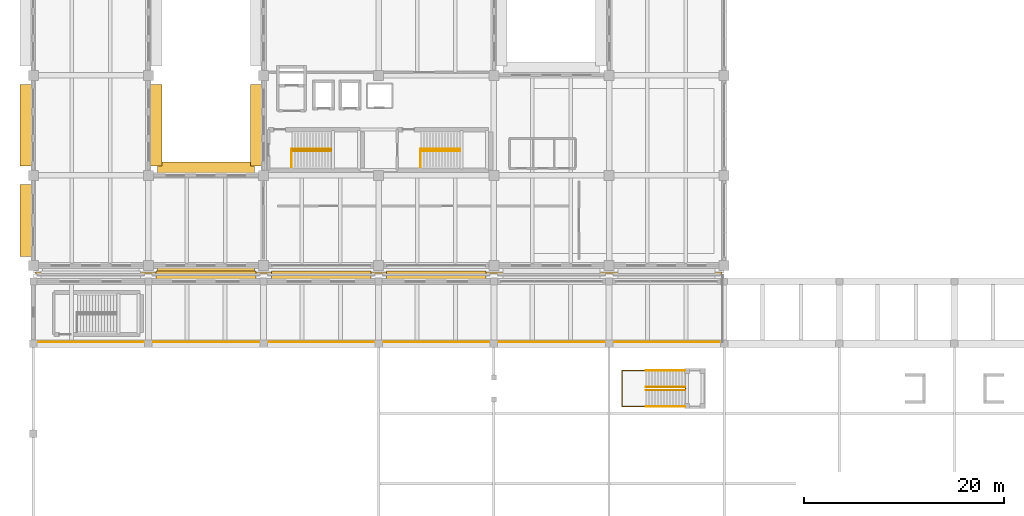
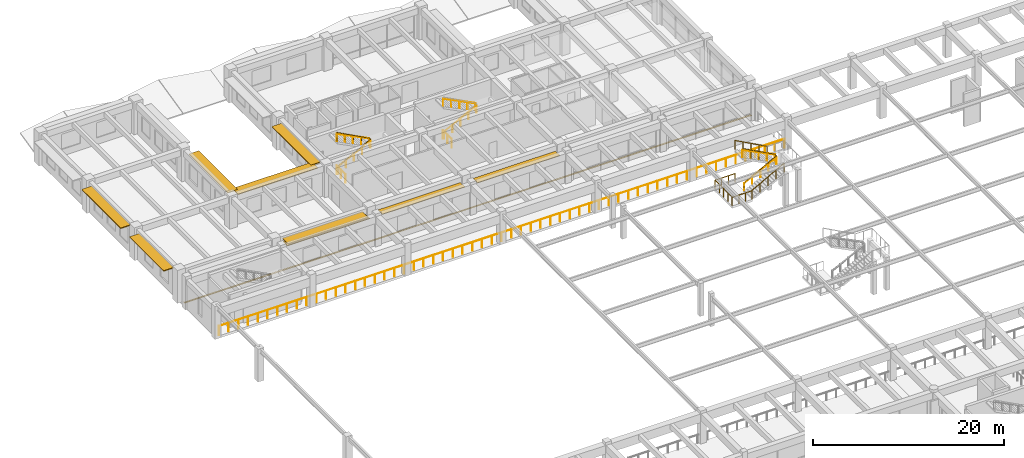
# One storey, part 93 of 98: 14 railings, 9 shading devices, 1 covering.
"""IFC4 building model written with IfcOpenShell, lengths in metres."""

from ifc_helpers import new_model, si_unit, direction, frame, origin, origin_2d, place, context, subcontext, project, spatial, polyline, rectangle, circle, outline, extrude, material, layer, layer_set, type_object, element, save


model = new_model("IFC4")

# Units and contexts
model_context = context("Model", 3, precision=1e-05, world=origin(), true_north=direction((0.0, 1.0)))
body_context = subcontext(model_context, "Body", "Model", "MODEL_VIEW")
ifc_project = project(units=[si_unit("LENGTHUNIT", "METRE"), si_unit("AREAUNIT", "SQUARE_METRE"), si_unit("VOLUMEUNIT", "CUBIC_METRE"), si_unit("PLANEANGLEUNIT", "RADIAN"), si_unit("MASSUNIT", "GRAM", prefix="KILO")], contexts=[model_context])

# Site, building, storey
site_placement = place(None, origin())
site = spatial("IfcSite", under=ifc_project, at=site_placement, CompositionType="ELEMENT")
building_placement = place(site_placement, origin())
building = spatial("IfcBuilding", under=site, at=building_placement, Name="Ologun Quay Terminus", CompositionType="ELEMENT")
storey_placement = place(building_placement, frame((0.0, 0.0, 4.199951171875)))
storey = spatial("IfcBuildingStorey", under=building, at=storey_placement, Name="L01", CompositionType="ELEMENT", Elevation=4.199951171875)

# Railing
ifc_material_1 = material(Name="Glass", Category="glass")
railing_type_1 = type_object("IfcRailingType", Name="Concourse & Atrium Glazed Balustrade 1150", PredefinedType="BALUSTRADE", material=ifc_material_1)
railing_1_placement = place(storey_placement, frame((0.39990234375, 78.14990234375, 0.0)))
element("IfcRailing", 1, at=railing_1_placement, inside=storey, type_object=railing_type_1, Name="BL-GL North Mezzanine Overlook Balustrade W L01", PredefinedType="BALUSTRADE", context=body_context, shape_type="SweptSolid", body=[
    extrude(circle(Radius=0.02392578125, at=origin_2d()), frame((0.0, 0.0, 1.1259765625), z_axis=(1.0, 0.0, 0.0), x_axis=(0.0, 1.0, 0.0)), (0.0, 0.0, 1.0), 68.4501953125),
    extrude(circle(Radius=0.02099609375, at=origin_2d()), origin(), (0.0, 0.0, 1.0), 1.101806640625),
    extrude(circle(Radius=0.02099609375, at=origin_2d()), frame((1.18017578125, 0.0, 0.0)), (0.0, 0.0, 1.0), 1.101806640625),
    extrude(circle(Radius=0.02099609375, at=origin_2d()), frame((2.3603515625, 0.0, 0.0)), (0.0, 0.0, 1.0), 1.101806640625),
    extrude(circle(Radius=0.02099609375, at=origin_2d()), frame((3.54052734375, 0.0, 0.0)), (0.0, 0.0, 1.0), 1.101806640625),
    extrude(circle(Radius=0.02099609375, at=origin_2d()), frame((4.720703125, 0.0, 0.0)), (0.0, 0.0, 1.0), 1.101806640625),
    extrude(circle(Radius=0.02099609375, at=origin_2d()), frame((5.90087890625, 0.0, 0.0)), (0.0, 0.0, 1.0), 1.101806640625),
    extrude(circle(Radius=0.02099609375, at=origin_2d()), frame((7.0810546875, 0.0, 0.0)), (0.0, 0.0, 1.0), 1.101806640625),
    extrude(circle(Radius=0.02099609375, at=origin_2d()), frame((8.26123046875, 0.0, 0.0)), (0.0, 0.0, 1.0), 1.101806640625),
    extrude(circle(Radius=0.02099609375, at=origin_2d()), frame((9.44140625, 0.0, 0.0)), (0.0, 0.0, 1.0), 1.101806640625),
    extrude(circle(Radius=0.02099609375, at=origin_2d()), frame((10.62158203125, 0.0, 0.0)), (0.0, 0.0, 1.0), 1.101806640625),
    extrude(circle(Radius=0.02099609375, at=origin_2d()), frame((11.8017578125, 0.0, 0.0)), (0.0, 0.0, 1.0), 1.101806640625),
    extrude(circle(Radius=0.02099609375, at=origin_2d()), frame((12.98193359375, 0.0, 0.0)), (0.0, 0.0, 1.0), 1.101806640625),
    extrude(circle(Radius=0.02099609375, at=origin_2d()), frame((14.162109375, 0.0, 0.0)), (0.0, 0.0, 1.0), 1.101806640625),
    extrude(circle(Radius=0.02099609375, at=origin_2d()), frame((15.34228515625, 0.0, 0.0)), (0.0, 0.0, 1.0), 1.101806640625),
    extrude(circle(Radius=0.02099609375, at=origin_2d()), frame((16.5224609375, 0.0, 0.0)), (0.0, 0.0, 1.0), 1.101806640625),
    extrude(circle(Radius=0.02099609375, at=origin_2d()), frame((17.70263671875, 0.0, 0.0)), (0.0, 0.0, 1.0), 1.101806640625),
    extrude(circle(Radius=0.02099609375, at=origin_2d()), frame((18.8828125, 0.0, 0.0)), (0.0, 0.0, 1.0), 1.101806640625),
    extrude(circle(Radius=0.02099609375, at=origin_2d()), frame((20.06298828125, 0.0, 0.0)), (0.0, 0.0, 1.0), 1.101806640625),
    extrude(circle(Radius=0.02099609375, at=origin_2d()), frame((21.2431640625, 0.0, 0.0)), (0.0, 0.0, 1.0), 1.101806640625),
    extrude(circle(Radius=0.02099609375, at=origin_2d()), frame((22.42333984375, 0.0, 0.0)), (0.0, 0.0, 1.0), 1.101806640625),
    extrude(circle(Radius=0.02099609375, at=origin_2d()), frame((23.603515625, 0.0, 0.0)), (0.0, 0.0, 1.0), 1.101806640625),
    extrude(circle(Radius=0.02099609375, at=origin_2d()), frame((24.78369140625, 0.0, 0.0)), (0.0, 0.0, 1.0), 1.101806640625),
    extrude(circle(Radius=0.02099609375, at=origin_2d()), frame((25.9638671875, 0.0, 0.0)), (0.0, 0.0, 1.0), 1.101806640625),
    extrude(circle(Radius=0.02099609375, at=origin_2d()), frame((27.14404296875, 0.0, 0.0)), (0.0, 0.0, 1.0), 1.101806640625),
    extrude(circle(Radius=0.02099609375, at=origin_2d()), frame((28.32421875, 0.0, 0.0)), (0.0, 0.0, 1.0), 1.101806640625),
    extrude(circle(Radius=0.02099609375, at=origin_2d()), frame((29.50439453125, 0.0, 0.0)), (0.0, 0.0, 1.0), 1.101806640625),
    extrude(circle(Radius=0.02099609375, at=origin_2d()), frame((30.6845703125, 0.0, 0.0)), (0.0, 0.0, 1.0), 1.101806640625),
    extrude(circle(Radius=0.02099609375, at=origin_2d()), frame((31.86474609375, 0.0, 0.0)), (0.0, 0.0, 1.0), 1.101806640625),
    extrude(circle(Radius=0.02099609375, at=origin_2d()), frame((33.044921875, 0.0, 0.0)), (0.0, 0.0, 1.0), 1.101806640625),
    extrude(circle(Radius=0.02099609375, at=origin_2d()), frame((34.22509765625, 0.0, 0.0)), (0.0, 0.0, 1.0), 1.101806640625),
    extrude(circle(Radius=0.02099609375, at=origin_2d()), frame((35.4052734375, 0.0, 0.0)), (0.0, 0.0, 1.0), 1.101806640625),
    extrude(circle(Radius=0.02099609375, at=origin_2d()), frame((36.58544921875, 0.0, 0.0)), (0.0, 0.0, 1.0), 1.101806640625),
    extrude(circle(Radius=0.02099609375, at=origin_2d()), frame((37.765625, 0.0, 0.0)), (0.0, 0.0, 1.0), 1.101806640625),
    extrude(circle(Radius=0.02099609375, at=origin_2d()), frame((38.94580078125, 0.0, 0.0)), (0.0, 0.0, 1.0), 1.101806640625),
    extrude(circle(Radius=0.02099609375, at=origin_2d()), frame((40.1259765625, 0.0, 0.0)), (0.0, 0.0, 1.0), 1.101806640625),
    extrude(circle(Radius=0.02099609375, at=origin_2d()), frame((41.30615234375, 0.0, 0.0)), (0.0, 0.0, 1.0), 1.101806640625),
    extrude(circle(Radius=0.02099609375, at=origin_2d()), frame((42.486328125, 0.0, 0.0)), (0.0, 0.0, 1.0), 1.101806640625),
    extrude(circle(Radius=0.02099609375, at=origin_2d()), frame((43.66650390625, 0.0, 0.0)), (0.0, 0.0, 1.0), 1.101806640625),
    extrude(circle(Radius=0.02099609375, at=origin_2d()), frame((44.8466796875, 0.0, 0.0)), (0.0, 0.0, 1.0), 1.101806640625),
    extrude(circle(Radius=0.02099609375, at=origin_2d()), frame((46.02685546875, 0.0, 0.0)), (0.0, 0.0, 1.0), 1.101806640625),
    extrude(circle(Radius=0.02099609375, at=origin_2d()), frame((47.20703125, 0.0, 0.0)), (0.0, 0.0, 1.0), 1.101806640625),
    extrude(circle(Radius=0.02099609375, at=origin_2d()), frame((48.38720703125, 0.0, 0.0)), (0.0, 0.0, 1.0), 1.101806640625),
    extrude(circle(Radius=0.02099609375, at=origin_2d()), frame((49.5673828125, 0.0, 0.0)), (0.0, 0.0, 1.0), 1.101806640625),
    extrude(circle(Radius=0.02099609375, at=origin_2d()), frame((50.74755859375, 0.0, 0.0)), (0.0, 0.0, 1.0), 1.101806640625),
    extrude(circle(Radius=0.02099609375, at=origin_2d()), frame((51.927734375, 0.0, 0.0)), (0.0, 0.0, 1.0), 1.101806640625),
    extrude(circle(Radius=0.02099609375, at=origin_2d()), frame((53.10791015625, 0.0, 0.0)), (0.0, 0.0, 1.0), 1.101806640625),
    extrude(circle(Radius=0.02099609375, at=origin_2d()), frame((54.2880859375, 0.0, 0.0)), (0.0, 0.0, 1.0), 1.101806640625),
    extrude(circle(Radius=0.02099609375, at=origin_2d()), frame((55.46826171875, 0.0, 0.0)), (0.0, 0.0, 1.0), 1.101806640625),
    extrude(circle(Radius=0.02099609375, at=origin_2d()), frame((56.6484375, 0.0, 0.0)), (0.0, 0.0, 1.0), 1.101806640625),
    extrude(circle(Radius=0.02099609375, at=origin_2d()), frame((57.82861328125, 0.0, 0.0)), (0.0, 0.0, 1.0), 1.101806640625),
    extrude(circle(Radius=0.02099609375, at=origin_2d()), frame((59.0087890625, 0.0, 0.0)), (0.0, 0.0, 1.0), 1.101806640625),
    extrude(circle(Radius=0.02099609375, at=origin_2d()), frame((60.18896484375, 0.0, 0.0)), (0.0, 0.0, 1.0), 1.101806640625),
    extrude(circle(Radius=0.02099609375, at=origin_2d()), frame((61.369140625, 0.0, 0.0)), (0.0, 0.0, 1.0), 1.101806640625),
    extrude(circle(Radius=0.02099609375, at=origin_2d()), frame((62.54931640625, 0.0, 0.0)), (0.0, 0.0, 1.0), 1.101806640625),
    extrude(circle(Radius=0.02099609375, at=origin_2d()), frame((63.7294921875, 0.0, 0.0)), (0.0, 0.0, 1.0), 1.101806640625),
    extrude(circle(Radius=0.02099609375, at=origin_2d()), frame((64.90966796875, 0.0, 0.0)), (0.0, 0.0, 1.0), 1.101806640625),
    extrude(circle(Radius=0.02099609375, at=origin_2d()), frame((66.08984375, 0.0, 0.0)), (0.0, 0.0, 1.0), 1.101806640625),
    extrude(circle(Radius=0.02099609375, at=origin_2d()), frame((67.27001953125, 0.0, 0.0)), (0.0, 0.0, 1.0), 1.101806640625),
    extrude(circle(Radius=0.02099609375, at=origin_2d()), frame((68.4501953125, 0.0, 0.0)), (0.0, 0.0, 1.0), 1.101806640625),
])

# Shading devices
ifc_material_2 = material(Name="Aluminium 6063-T6", Category="aluminium")
ifc_layer_1 = layer(ifc_material_2, 0.10009765625)
ifc_layer_set_1 = layer_set([ifc_layer_1], Name="Aluminium 6063-T6")
shading_device_type_1 = type_object("IfcShadingDeviceType", Name="Deep Waterfront Brise-Soleil Blade 1200", PredefinedType="JALOUSIE", material=ifc_layer_set_1)
shading_device_1_placement = place(storey_placement, frame((17.25, 85.070068359375, 3.530029296875), z_axis=(0.0, 0.0, 1.0), x_axis=(1.0, 0.0, 0.0)))
element("IfcShadingDevice", 2, at=shading_device_1_placement, inside=storey, type_object=shading_device_type_1, Name="SD-02 Sun-Hood WEW-WW-O-L01-2", PredefinedType="JALOUSIE", context=body_context, shape_type="SweptSolid", body=[
    extrude(rectangle(XDim=9.659912109375, YDim=1.199951171875, at=origin_2d()), origin(), (0.0, 0.0, 1.0), 0.10009765625),
])
shading_device_2_placement = place(storey_placement, frame((22.27001953125, 99.800048828125, 3.530029296875), z_axis=(0.0, 0.0, 1.0), x_axis=(1.0, 0.0, 0.0)))
element("IfcShadingDevice", 3, at=shading_device_2_placement, inside=storey, type_object=shading_device_type_1, Name="SD-02 Sun-Hood WEW-WW-O-L01-16", PredefinedType="JALOUSIE", context=body_context, shape_type="SweptSolid", body=[
    extrude(rectangle(XDim=1.199951171875, YDim=8.159912109375, at=origin_2d()), origin(), (0.0, 0.0, 1.0), 0.10009765625),
])
shading_device_3_placement = place(storey_placement, frame((17.25, 95.530029296875, 3.530029296875), z_axis=(0.0, 0.0, 1.0), x_axis=(1.0, 0.0, 0.0)))
element("IfcShadingDevice", 4, at=shading_device_3_placement, inside=storey, type_object=shading_device_type_1, Name="SD-02 Sun-Hood WEW-WW-O-L01-18", PredefinedType="JALOUSIE", context=body_context, shape_type="SweptSolid", body=[
    extrude(rectangle(XDim=9.659912109375, YDim=1.199951171875, at=origin_2d()), origin(), (0.0, 0.0, 1.0), 0.10009765625),
])
shading_device_4_placement = place(storey_placement, frame((12.22998046875, 99.800048828125, 3.530029296875), z_axis=(0.0, 0.0, 1.0), x_axis=(1.0, 0.0, 0.0)))
element("IfcShadingDevice", 5, at=shading_device_4_placement, inside=storey, type_object=shading_device_type_1, Name="SD-02 Sun-Hood WEW-WW-O-L01-19", PredefinedType="JALOUSIE", context=body_context, shape_type="SweptSolid", body=[
    extrude(rectangle(XDim=1.199951171875, YDim=8.159912109375, at=origin_2d()), origin(), (0.0, 0.0, 1.0), 0.10009765625),
])
shading_device_5_placement = place(storey_placement, frame((-0.72998046875, 90.300048828125, 3.530029296875), z_axis=(0.0, 0.0, 1.0), x_axis=(1.0, 0.0, 0.0)))
element("IfcShadingDevice", 6, at=shading_device_5_placement, inside=storey, type_object=shading_device_type_1, Name="SD-02 Sun-Hood WEW-WW-O-L01-22", PredefinedType="JALOUSIE", context=body_context, shape_type="SweptSolid", body=[
    extrude(rectangle(XDim=1.199951171875, YDim=7.159912109375, at=origin_2d()), origin(), (0.0, 0.0, 1.0), 0.10009765625),
])
shading_device_6_placement = place(storey_placement, frame((-0.72998046875, 99.800048828125, 3.530029296875), z_axis=(0.0, 0.0, 1.0), x_axis=(1.0, 0.0, 0.0)))
element("IfcShadingDevice", 7, at=shading_device_6_placement, inside=storey, type_object=shading_device_type_1, Name="SD-02 Sun-Hood WEW-WW-O-L01-23", PredefinedType="JALOUSIE", context=body_context, shape_type="SweptSolid", body=[
    extrude(rectangle(XDim=1.199951171875, YDim=8.159912109375, at=origin_2d()), origin(), (0.0, 0.0, 1.0), 0.10009765625),
])
ifc_material_3 = material(Name="Aluminium 6063-T6", Category="aluminium")
ifc_layer_2 = layer(ifc_material_3, 0.080078125)
ifc_layer_set_2 = layer_set([ifc_layer_2], Name="Aluminium 6063-T6")
shading_device_type_2 = type_object("IfcShadingDeviceType", Name="Horizontal Extruded Aluminium Sun Louvre 900", PredefinedType="JALOUSIE", material=ifc_layer_set_2)
for number, where, z_axis, x_axis, name in (
    (8, (40.25, 84.780029296875, 3.4599609375), (0.0, 0.0, 1.0), (1.0, 0.0, 0.0), "SD-01 Sun-Hood WEW-NGW-L01-04"),
    (9, (17.25, 84.780029296875, 3.4599609375), (0.0, 0.0, 1.0), (1.0, 0.0, 0.0), "SD-01 Sun-Hood WEW-NGW-L01-02"),
    (10, (28.75, 84.780029296875, 3.4599609375), (0.0, 0.0, 1.0), (1.0, 0.0, 0.0), "SD-01 Sun-Hood WEW-NGW-L01-03"),
):
    element("IfcShadingDevice", number, at=place(storey_placement, frame(where, z_axis=z_axis, x_axis=x_axis)), inside=storey, type_object=shading_device_type_2, Name=name, PredefinedType="JALOUSIE", context=body_context, shape_type="SweptSolid", body=[
        extrude(rectangle(XDim=9.9599609375, YDim=0.89990234375, at=origin_2d()), origin(), (0.0, 0.0, 1.0), 0.080078125),
    ])

# Covering
ifc_material_4 = material(Name="Steel S355", Category="steel")
ifc_layer_3 = layer(ifc_material_4, 0.034912109375)
ifc_layer_set_3 = layer_set([ifc_layer_3], Name="Steel S355")
covering_type = type_object("IfcCoveringType", Name="Stainless Steel Seismic Joint Cover Plate 35", PredefinedType="FLOORING", material=ifc_layer_set_3)
covering_placement = place(storey_placement, origin())
element("IfcCovering", 11, at=covering_placement, inside=storey, type_object=covering_type, Name="CV-MJC Seismic Joint Cover Plate L01-W", PredefinedType="FLOORING", context=body_context, shape_type="SweptSolid", body=[
    extrude(outline(polyline([(0.199951171875, 84.9560546875), (68.800048828125, 84.9560546875), (68.800048828125, 85.156005859375), (0.199951171875, 85.156005859375), (0.199951171875, 84.9560546875)])), origin(), (0.0, 0.0, 1.0), 0.03515625),
])

# Railings
ifc_material_5 = material(Name="Steel S355", Category="steel")
railing_type_2 = type_object("IfcRailingType", Name="Stair & Landing Steel Guardrail 1100", PredefinedType="GUARDRAIL", material=ifc_material_5)
railing_2_placement = place(storey_placement, frame((25.81005859375, 97.43994140625, 0.0)))
element("IfcRailing", 12, at=railing_2_placement, inside=storey, type_object=railing_type_2, Name="GR-ST Stair Floor Edge Guard ST-W1 L01", PredefinedType="GUARDRAIL", context=body_context, shape_type="SweptSolid", body=[
    extrude(circle(Radius=0.02392578125, at=origin_2d()), frame((0.0, 0.0, 1.076171875), z_axis=(0.0, -1.0, 0.0), x_axis=(1.0, 0.0, 0.0)), (0.0, 0.0, 1.0), 1.829833984375),
    extrude(circle(Radius=0.02099609375, at=origin_2d()), origin(), (0.0, 0.0, 1.0), 1.052001953125),
    extrude(circle(Radius=0.02099609375, at=origin_2d()), frame((0.0, -0.9150390625, 0.0)), (0.0, 0.0, 1.0), 1.052001953125),
    extrude(circle(Radius=0.02099609375, at=origin_2d()), frame((0.0, -1.829833984375, 0.0)), (0.0, 0.0, 1.0), 1.052001953125),
])
railing_3_placement = place(storey_placement, frame((25.85009765625, 97.25, 0.0)))
element("IfcRailing", 13, at=railing_3_placement, inside=storey, type_object=railing_type_2, Name="GR-ST Stair Inner Well Guard ST-W1 L01", PredefinedType="GUARDRAIL", context=body_context, shape_type="SweptSolid", body=[
    extrude(circle(Radius=0.02392578125, at=origin_2d()), frame((0.0, 0.0, 1.076171875), z_axis=(0.881967403671, 0.0, 0.471310406062), x_axis=(0.0, 1.0, 0.0)), (0.0, 0.0, 1.0), 4.455810546875),
    extrude(circle(Radius=0.02392578125, at=origin_2d()), frame((3.929931640625, 0.0, 3.17626953125), z_axis=(0.0, 1.0, 0.0), x_axis=(-1.0, 0.0, 0.0)), (0.0, 0.0, 1.0), 0.199951171875),
    extrude(circle(Radius=0.02392578125, at=origin_2d()), frame((3.929931640625, 0.199951171875, 3.17626953125), z_axis=(-0.881990178689, 0.0, 0.471267784488), x_axis=(0.0, -1.0, 0.0)), (0.0, 0.0, 1.0), 4.455810546875),
    extrude(circle(Radius=0.02099609375, at=origin_2d()), origin(), (0.0, 0.0, 1.0), 1.052001953125),
    extrude(circle(Radius=0.02099609375, at=origin_2d()), frame((0.982421875, 0.0, 0.52490234375)), (0.0, 0.0, 1.0), 1.052001953125),
    extrude(circle(Radius=0.02099609375, at=origin_2d()), frame((1.96484375, 0.0, 1.050048828125)), (0.0, 0.0, 1.0), 1.052001953125),
    extrude(circle(Radius=0.02099609375, at=origin_2d()), frame((2.947509765625, 0.0, 1.5751953125)), (0.0, 0.0, 1.0), 1.052001953125),
    extrude(circle(Radius=0.02099609375, at=origin_2d()), frame((3.929931640625, 0.0, 2.10009765625)), (0.0, 0.0, 1.0), 1.052001953125),
    extrude(circle(Radius=0.02099609375, at=origin_2d()), frame((3.929931640625, 0.199951171875, 2.10009765625)), (0.0, 0.0, 1.0), 1.052001953125),
    extrude(circle(Radius=0.02099609375, at=origin_2d()), frame((2.947509765625, 0.199951171875, 2.625)), (0.0, 0.0, 1.0), 1.052001953125),
    extrude(circle(Radius=0.02099609375, at=origin_2d()), frame((1.96484375, 0.199951171875, 3.14990234375)), (0.0, 0.0, 1.0), 1.052001953125),
    extrude(circle(Radius=0.02099609375, at=origin_2d()), frame((0.982421875, 0.199951171875, 3.675048828125)), (0.0, 0.0, 1.0), 1.052001953125),
    extrude(circle(Radius=0.02099609375, at=origin_2d()), frame((0.0, 0.199951171875, 4.199951171875)), (0.0, 0.0, 1.0), 1.052001953125),
])
railing_4_placement = place(storey_placement, frame((38.659912109375, 97.43994140625, 0.0)))
element("IfcRailing", 14, at=railing_4_placement, inside=storey, type_object=railing_type_2, Name="GR-ST Stair Floor Edge Guard ST-W2 L01", PredefinedType="GUARDRAIL", context=body_context, shape_type="SweptSolid", body=[
    extrude(circle(Radius=0.02392578125, at=origin_2d()), frame((0.0, 0.0, 1.076171875), z_axis=(0.0, -1.0, 0.0), x_axis=(1.0, 0.0, 0.0)), (0.0, 0.0, 1.0), 1.829833984375),
    extrude(circle(Radius=0.02099609375, at=origin_2d()), origin(), (0.0, 0.0, 1.0), 1.052001953125),
    extrude(circle(Radius=0.02099609375, at=origin_2d()), frame((0.0, -0.9150390625, 0.0)), (0.0, 0.0, 1.0), 1.052001953125),
    extrude(circle(Radius=0.02099609375, at=origin_2d()), frame((0.0, -1.829833984375, 0.0)), (0.0, 0.0, 1.0), 1.052001953125),
])
railing_5_placement = place(storey_placement, frame((61.199951171875, 73.35009765625, 0.0)))
element("IfcRailing", 15, at=railing_5_placement, inside=storey, type_object=railing_type_2, Name="GR-ST Stair Inner Well Guard ST-P3U L01", PredefinedType="GUARDRAIL", context=body_context, shape_type="SweptSolid", body=[
    extrude(circle(Radius=0.02392578125, at=origin_2d()), frame((0.0, 0.0, 1.076171875), z_axis=(0.881967403671, 0.0, 0.471310406062), x_axis=(0.0, 1.0, 0.0)), (0.0, 0.0, 1.0), 4.455810546875),
    extrude(circle(Radius=0.02392578125, at=origin_2d()), frame((3.929931640625, 0.0, 3.17626953125), z_axis=(0.0, 1.0, 0.0), x_axis=(-1.0, 0.0, 0.0)), (0.0, 0.0, 1.0), 0.2998046875),
    extrude(circle(Radius=0.02392578125, at=origin_2d()), frame((3.929931640625, 0.2998046875, 3.17626953125), z_axis=(-0.881990178689, 0.0, 0.471267784488), x_axis=(0.0, -1.0, 0.0)), (0.0, 0.0, 1.0), 4.455810546875),
    extrude(circle(Radius=0.02099609375, at=origin_2d()), origin(), (0.0, 0.0, 1.0), 1.052001953125),
    extrude(circle(Radius=0.02099609375, at=origin_2d()), frame((0.982421875, 0.0, 0.52490234375)), (0.0, 0.0, 1.0), 1.052001953125),
    extrude(circle(Radius=0.02099609375, at=origin_2d()), frame((1.96484375, 0.0, 1.050048828125)), (0.0, 0.0, 1.0), 1.052001953125),
    extrude(circle(Radius=0.02099609375, at=origin_2d()), frame((2.947509765625, 0.0, 1.5751953125)), (0.0, 0.0, 1.0), 1.052001953125),
    extrude(circle(Radius=0.02099609375, at=origin_2d()), frame((3.929931640625, 0.0, 2.10009765625)), (0.0, 0.0, 1.0), 1.052001953125),
    extrude(circle(Radius=0.02099609375, at=origin_2d()), frame((3.929931640625, 0.2998046875, 2.10009765625)), (0.0, 0.0, 1.0), 1.052001953125),
    extrude(circle(Radius=0.02099609375, at=origin_2d()), frame((2.947509765625, 0.2998046875, 2.625)), (0.0, 0.0, 1.0), 1.052001953125),
    extrude(circle(Radius=0.02099609375, at=origin_2d()), frame((1.96484375, 0.2998046875, 3.14990234375)), (0.0, 0.0, 1.0), 1.052001953125),
    extrude(circle(Radius=0.02099609375, at=origin_2d()), frame((0.982421875, 0.2998046875, 3.675048828125)), (0.0, 0.0, 1.0), 1.052001953125),
    extrude(circle(Radius=0.02099609375, at=origin_2d()), frame((0.0, 0.2998046875, 4.199951171875)), (0.0, 0.0, 1.0), 1.052001953125),
])
railing_6_placement = place(storey_placement, frame((61.219970703125, 71.699951171875, 0.0)))
element("IfcRailing", 16, at=railing_6_placement, inside=storey, type_object=railing_type_2, Name="GR-ST Platform Transfer Bridge Guard ST-P3 L01", PredefinedType="GUARDRAIL", context=body_context, shape_type="SweptSolid", body=[
    extrude(circle(Radius=0.02392578125, at=origin_2d()), frame((0.0, 0.0, 1.076171875), z_axis=(-1.0, 0.0, 0.0), x_axis=(0.0, -1.0, 0.0)), (0.0, 0.0, 1.0), 2.419921875),
    extrude(circle(Radius=0.02392578125, at=origin_2d()), frame((-2.419921875, 0.0, 1.076171875), z_axis=(0.0, 1.0, 0.0), x_axis=(-1.0, 0.0, 0.0)), (0.0, 0.0, 1.0), 3.60009765625),
    extrude(circle(Radius=0.02392578125, at=origin_2d()), frame((-2.419921875, 3.60009765625, 1.076171875), z_axis=(1.0, 0.0, 0.0), x_axis=(0.0, 1.0, 0.0)), (0.0, 0.0, 1.0), 2.419921875),
    extrude(circle(Radius=0.02099609375, at=origin_2d()), origin(), (0.0, 0.0, 1.0), 1.052001953125),
    extrude(circle(Radius=0.02099609375, at=origin_2d()), frame((-0.806640625, 0.0, 0.0)), (0.0, 0.0, 1.0), 1.052001953125),
    extrude(circle(Radius=0.02099609375, at=origin_2d()), frame((-1.61328125, 0.0, 0.0)), (0.0, 0.0, 1.0), 1.052001953125),
    extrude(circle(Radius=0.02099609375, at=origin_2d()), frame((-2.419921875, 0.0, 0.0)), (0.0, 0.0, 1.0), 1.052001953125),
    extrude(circle(Radius=0.02099609375, at=origin_2d()), frame((-2.419921875, 0.89990234375, 0.0)), (0.0, 0.0, 1.0), 1.052001953125),
    extrude(circle(Radius=0.02099609375, at=origin_2d()), frame((-2.419921875, 1.800048828125, 0.0)), (0.0, 0.0, 1.0), 1.052001953125),
    extrude(circle(Radius=0.02099609375, at=origin_2d()), frame((-2.419921875, 2.7001953125, 0.0)), (0.0, 0.0, 1.0), 1.052001953125),
    extrude(circle(Radius=0.02099609375, at=origin_2d()), frame((-2.419921875, 3.60009765625, 0.0)), (0.0, 0.0, 1.0), 1.052001953125),
    extrude(circle(Radius=0.02099609375, at=origin_2d()), frame((-1.61328125, 3.60009765625, 0.0)), (0.0, 0.0, 1.0), 1.052001953125),
    extrude(circle(Radius=0.02099609375, at=origin_2d()), frame((-0.806640625, 3.60009765625, 0.0)), (0.0, 0.0, 1.0), 1.052001953125),
    extrude(circle(Radius=0.02099609375, at=origin_2d()), frame((0.0, 3.60009765625, 0.0)), (0.0, 0.0, 1.0), 1.052001953125),
])
ifc_material_6 = material(Name="Steel S355", Category="steel")
railing_type_3 = type_object("IfcRailingType", Name="Stair Stainless Tubular Handrail 920", PredefinedType="HANDRAIL", material=ifc_material_6)
railing_7_placement = place(storey_placement, frame((25.85009765625, 97.239990234375, 0.150146484375)))
element("IfcRailing", 17, at=railing_7_placement, inside=storey, type_object=railing_type_3, Name="HR-ST Handrail ST-W1-F1 L01", PredefinedType="HANDRAIL", context=body_context, shape_type="SweptSolid", body=[
    extrude(circle(Radius=0.02392578125, at=origin_2d()), frame((0.0, 0.0, 0.89599609375), z_axis=(0.894427191, 0.0, 0.4472135955), x_axis=(0.0, 1.0, 0.0)), (0.0, 0.0, 1.0), 4.360107421875),
    extrude(circle(Radius=0.02099609375, at=origin_2d()), origin(), (0.0, 0.0, 1.0), 0.871826171875),
    extrude(circle(Radius=0.02099609375, at=origin_2d()), frame((0.97509765625, 0.0, 0.487548828125)), (0.0, 0.0, 1.0), 0.871826171875),
    extrude(circle(Radius=0.02099609375, at=origin_2d()), frame((1.949951171875, 0.0, 0.97509765625)), (0.0, 0.0, 1.0), 0.871826171875),
    extrude(circle(Radius=0.02099609375, at=origin_2d()), frame((2.9248046875, 0.0, 1.46240234375)), (0.0, 0.0, 1.0), 0.871826171875),
    extrude(circle(Radius=0.02099609375, at=origin_2d()), frame((3.89990234375, 0.0, 1.949951171875)), (0.0, 0.0, 1.0), 0.871826171875),
])
railing_8_placement = place(storey_placement, frame((29.75, 97.4599609375, 2.25)))
element("IfcRailing", 18, at=railing_8_placement, inside=storey, type_object=railing_type_3, Name="HR-ST Handrail ST-W1-F2 L01", PredefinedType="HANDRAIL", context=body_context, shape_type="SweptSolid", body=[
    extrude(circle(Radius=0.02392578125, at=origin_2d()), frame((0.0, 0.0, 0.89599609375), z_axis=(-0.894427191, 0.0, 0.4472135955), x_axis=(0.0, -1.0, 0.0)), (0.0, 0.0, 1.0), 4.360107421875),
    extrude(circle(Radius=0.02099609375, at=origin_2d()), origin(), (0.0, 0.0, 1.0), 0.871826171875),
    extrude(circle(Radius=0.02099609375, at=origin_2d()), frame((-0.97509765625, 0.0, 0.487548828125)), (0.0, 0.0, 1.0), 0.871826171875),
    extrude(circle(Radius=0.02099609375, at=origin_2d()), frame((-1.949951171875, 0.0, 0.97509765625)), (0.0, 0.0, 1.0), 0.871826171875),
    extrude(circle(Radius=0.02099609375, at=origin_2d()), frame((-2.9248046875, 0.0, 1.46240234375)), (0.0, 0.0, 1.0), 0.871826171875),
    extrude(circle(Radius=0.02099609375, at=origin_2d()), frame((-3.89990234375, 0.0, 1.949951171875)), (0.0, 0.0, 1.0), 0.871826171875),
])
railing_9_placement = place(storey_placement, frame((38.699951171875, 97.239990234375, 0.150146484375)))
element("IfcRailing", 19, at=railing_9_placement, inside=storey, type_object=railing_type_3, Name="HR-ST Handrail ST-W2-F1 L01", PredefinedType="HANDRAIL", context=body_context, shape_type="SweptSolid", body=[
    extrude(circle(Radius=0.02392578125, at=origin_2d()), frame((0.0, 0.0, 0.89599609375), z_axis=(0.894438388696, 0.0, 0.447191199406), x_axis=(0.0, 1.0, 0.0)), (0.0, 0.0, 1.0), 4.3603515625),
    extrude(circle(Radius=0.02099609375, at=origin_2d()), origin(), (0.0, 0.0, 1.0), 0.871826171875),
    extrude(circle(Radius=0.02099609375, at=origin_2d()), frame((0.97509765625, 0.0, 0.487548828125)), (0.0, 0.0, 1.0), 0.871826171875),
    extrude(circle(Radius=0.02099609375, at=origin_2d()), frame((1.9501953125, 0.0, 0.97509765625)), (0.0, 0.0, 1.0), 0.871826171875),
    extrude(circle(Radius=0.02099609375, at=origin_2d()), frame((2.925048828125, 0.0, 1.46240234375)), (0.0, 0.0, 1.0), 0.871826171875),
    extrude(circle(Radius=0.02099609375, at=origin_2d()), frame((3.900146484375, 0.0, 1.949951171875)), (0.0, 0.0, 1.0), 0.871826171875),
])
railing_10_placement = place(storey_placement, frame((42.60009765625, 97.4599609375, 2.25)))
element("IfcRailing", 20, at=railing_10_placement, inside=storey, type_object=railing_type_3, Name="HR-ST Handrail ST-W2-F2 L01", PredefinedType="HANDRAIL", context=body_context, shape_type="SweptSolid", body=[
    extrude(circle(Radius=0.02392578125, at=origin_2d()), frame((0.0, 0.0, 0.89599609375), z_axis=(-0.894438388696, 0.0, 0.447191199406), x_axis=(0.0, -1.0, 0.0)), (0.0, 0.0, 1.0), 4.3603515625),
    extrude(circle(Radius=0.02099609375, at=origin_2d()), origin(), (0.0, 0.0, 1.0), 0.871826171875),
    extrude(circle(Radius=0.02099609375, at=origin_2d()), frame((-0.97509765625, 0.0, 0.487548828125)), (0.0, 0.0, 1.0), 0.871826171875),
    extrude(circle(Radius=0.02099609375, at=origin_2d()), frame((-1.9501953125, 0.0, 0.97509765625)), (0.0, 0.0, 1.0), 0.871826171875),
    extrude(circle(Radius=0.02099609375, at=origin_2d()), frame((-2.925048828125, 0.0, 1.46240234375)), (0.0, 0.0, 1.0), 0.871826171875),
    extrude(circle(Radius=0.02099609375, at=origin_2d()), frame((-3.900146484375, 0.0, 1.949951171875)), (0.0, 0.0, 1.0), 0.871826171875),
])
railing_11_placement = place(storey_placement, frame((61.199951171875, 73.340087890625, 0.150146484375)))
element("IfcRailing", 21, at=railing_11_placement, inside=storey, type_object=railing_type_3, Name="HR-ST Handrail ST-P3U-F1 L01", PredefinedType="HANDRAIL", context=body_context, shape_type="SweptSolid", body=[
    extrude(circle(Radius=0.02392578125, at=origin_2d()), frame((0.0, 0.0, 0.89599609375), z_axis=(0.894438388696, 0.0, 0.447191199406), x_axis=(0.0, 1.0, 0.0)), (0.0, 0.0, 1.0), 4.3603515625),
    extrude(circle(Radius=0.02099609375, at=origin_2d()), origin(), (0.0, 0.0, 1.0), 0.871826171875),
    extrude(circle(Radius=0.02099609375, at=origin_2d()), frame((0.97509765625, 0.0, 0.487548828125)), (0.0, 0.0, 1.0), 0.871826171875),
    extrude(circle(Radius=0.02099609375, at=origin_2d()), frame((1.9501953125, 0.0, 0.97509765625)), (0.0, 0.0, 1.0), 0.871826171875),
    extrude(circle(Radius=0.02099609375, at=origin_2d()), frame((2.925048828125, 0.0, 1.46240234375)), (0.0, 0.0, 1.0), 0.871826171875),
    extrude(circle(Radius=0.02099609375, at=origin_2d()), frame((3.900146484375, 0.0, 1.949951171875)), (0.0, 0.0, 1.0), 0.871826171875),
])
railing_12_placement = place(storey_placement, frame((65.10009765625, 73.659912109375, 2.25)))
element("IfcRailing", 22, at=railing_12_placement, inside=storey, type_object=railing_type_3, Name="HR-ST Handrail ST-P3U-F2 L01", PredefinedType="HANDRAIL", context=body_context, shape_type="SweptSolid", body=[
    extrude(circle(Radius=0.02392578125, at=origin_2d()), frame((0.0, 0.0, 0.89599609375), z_axis=(-0.894438388696, 0.0, 0.447191199406), x_axis=(0.0, -1.0, 0.0)), (0.0, 0.0, 1.0), 4.3603515625),
    extrude(circle(Radius=0.02099609375, at=origin_2d()), origin(), (0.0, 0.0, 1.0), 0.871826171875),
    extrude(circle(Radius=0.02099609375, at=origin_2d()), frame((-0.97509765625, 0.0, 0.487548828125)), (0.0, 0.0, 1.0), 0.871826171875),
    extrude(circle(Radius=0.02099609375, at=origin_2d()), frame((-1.9501953125, 0.0, 0.97509765625)), (0.0, 0.0, 1.0), 0.871826171875),
    extrude(circle(Radius=0.02099609375, at=origin_2d()), frame((-2.925048828125, 0.0, 1.46240234375)), (0.0, 0.0, 1.0), 0.871826171875),
    extrude(circle(Radius=0.02099609375, at=origin_2d()), frame((-3.900146484375, 0.0, 1.949951171875)), (0.0, 0.0, 1.0), 0.871826171875),
])
ifc_material_7 = material(Name="Steel S355", Category="steel")
railing_type_4 = type_object("IfcRailingType", Name="Terrace & Quay Perimeter Guardrail 1150", PredefinedType="GUARDRAIL", material=ifc_material_7)
railing_13_placement = place(storey_placement, frame((61.199951171875, 71.699951171875, 0.0)))
element("IfcRailing", 23, at=railing_13_placement, inside=storey, type_object=railing_type_4, Name="GR-TR Open Flight Outer Guard ST-P3U-S L01", PredefinedType="GUARDRAIL", context=body_context, shape_type="SweptSolid", body=[
    extrude(circle(Radius=0.02392578125, at=origin_2d()), frame((0.0, 0.0, 1.1259765625), z_axis=(0.878931799495, 0.0, 0.476947472827), x_axis=(0.0, 1.0, 0.0)), (0.0, 0.0, 1.0), 4.4033203125),
    extrude(circle(Radius=0.02099609375, at=origin_2d()), origin(), (0.0, 0.0, 1.0), 1.101806640625),
    extrude(circle(Radius=0.02099609375, at=origin_2d()), frame((0.967529296875, 0.0, 0.52490234375)), (0.0, 0.0, 1.0), 1.101806640625),
    extrude(circle(Radius=0.02099609375, at=origin_2d()), frame((1.93505859375, 0.0, 1.050048828125)), (0.0, 0.0, 1.0), 1.101806640625),
    extrude(circle(Radius=0.02099609375, at=origin_2d()), frame((2.902587890625, 0.0, 1.5751953125)), (0.0, 0.0, 1.0), 1.101806640625),
    extrude(circle(Radius=0.02099609375, at=origin_2d()), frame((3.8701171875, 0.0, 2.10009765625)), (0.0, 0.0, 1.0), 1.101806640625),
])
railing_14_placement = place(storey_placement, frame((61.199951171875, 75.300048828125, 4.199951171875)))
element("IfcRailing", 24, at=railing_14_placement, inside=storey, type_object=railing_type_4, Name="GR-TR Open Flight Outer Guard ST-P3U-N L01", PredefinedType="GUARDRAIL", context=body_context, shape_type="SweptSolid", body=[
    extrude(circle(Radius=0.02392578125, at=origin_2d()), frame((0.0, 0.0, 1.1259765625), z_axis=(0.878955042315, 0.0, -0.476904637835), x_axis=(0.0, 1.0, 0.0)), (0.0, 0.0, 1.0), 4.403076171875),
    extrude(circle(Radius=0.02099609375, at=origin_2d()), origin(), (0.0, 0.0, 1.0), 1.101806640625),
    extrude(circle(Radius=0.02099609375, at=origin_2d()), frame((0.967529296875, 0.0, -0.52490234375)), (0.0, 0.0, 1.0), 1.101806640625),
    extrude(circle(Radius=0.02099609375, at=origin_2d()), frame((1.93505859375, 0.0, -1.0498046875)), (0.0, 0.0, 1.0), 1.101806640625),
    extrude(circle(Radius=0.02099609375, at=origin_2d()), frame((2.902587890625, 0.0, -1.574951171875)), (0.0, 0.0, 1.0), 1.101806640625),
    extrude(circle(Radius=0.02099609375, at=origin_2d()), frame((3.8701171875, 0.0, -2.099853515625)), (0.0, 0.0, 1.0), 1.101806640625),
])

save(model, "model.ifc")
